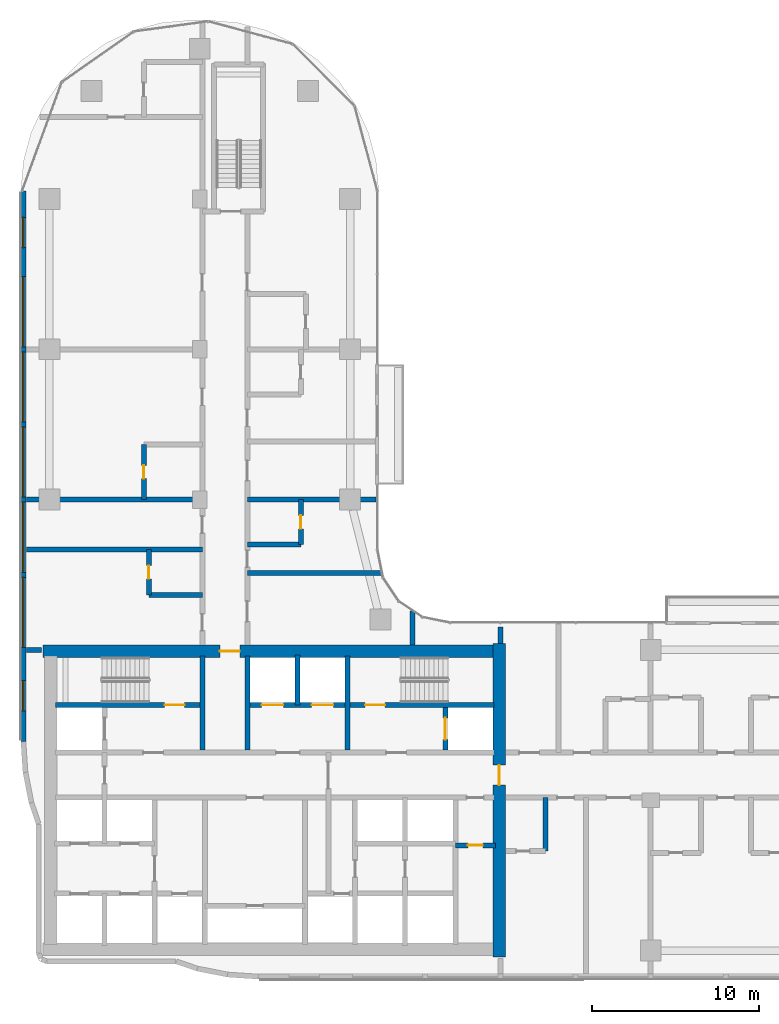
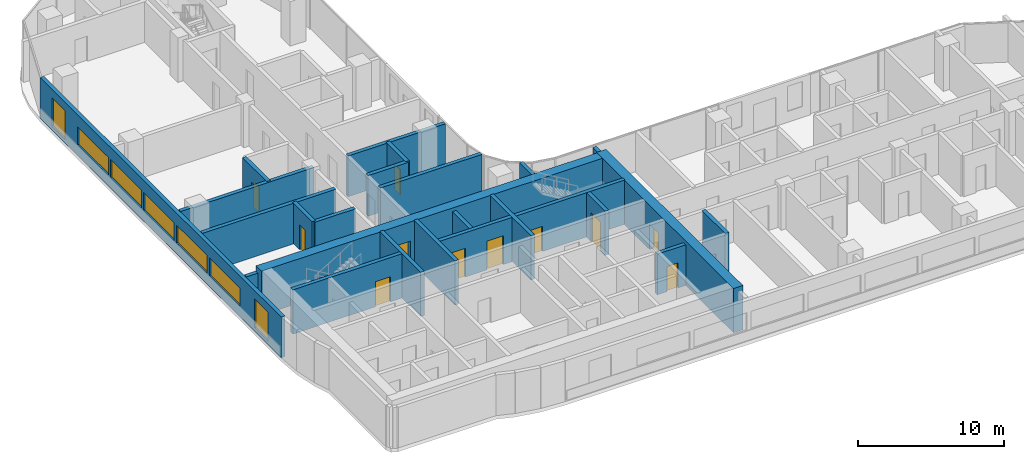
# One storey, part 10 of 23: 24 walls, 11 doors, 7 windows, 18 openings.
"""IFC4 building model written with IfcOpenShell, lengths in metres."""

from ifc_helpers import new_model, si_unit, direction, frame, frame_2d, origin, place, context, subcontext, project, spatial, rectangle, extrude, material, layer, layer_set, type_object, element, fill, save


model = new_model("IFC4")

# Units and contexts
model_context = context("Model", 3, precision=1e-05, world=origin(), true_north=direction((0.0, 1.0)))
body_context = subcontext(model_context, "Body", "Model", "MODEL_VIEW")
ifc_project = project(units=[si_unit("LENGTHUNIT", "METRE"), si_unit("AREAUNIT", "SQUARE_METRE"), si_unit("VOLUMEUNIT", "CUBIC_METRE"), si_unit("PLANEANGLEUNIT", "RADIAN"), si_unit("MASSUNIT", "GRAM", prefix="KILO")], contexts=[model_context])

# Site, building, storey
site_placement = place(None, origin())
site = spatial("IfcSite", under=ifc_project, at=site_placement, CompositionType="ELEMENT")
building_placement = place(site_placement, origin())
building = spatial("IfcBuilding", under=site, at=building_placement, Name="Ogive Portal Towers", CompositionType="ELEMENT")
storey_placement = place(building_placement, frame((0.0, 0.0, 127.800048828125)))
storey = spatial("IfcBuildingStorey", under=building, at=storey_placement, Name="L31", CompositionType="ELEMENT", Elevation=127.800048828125)

# Wall, opening, door
ifc_material_1 = material(Name="Concrete C60/75", Category="concrete")
ifc_layer_1 = layer(ifc_material_1, 0.300048828125)
ifc_layer_set_1 = layer_set([ifc_layer_1], Name="CORE WALL 300 C60")
wall_type_1 = type_object("IfcWallType", Name="CORE WALL 300 C60", PredefinedType="SHEAR", material=ifc_layer_set_1)
wall_1_placement = place(storey_placement, frame((31.875, 36.199951171875, 0.0), z_axis=(0.0, 0.0, 1.0), x_axis=(1.0, 0.0, 0.0)))
wall_1 = element("IfcWall", 1, at=wall_1_placement, inside=storey, type_object=wall_type_1, Name="Core wall Y3a L31", PredefinedType="SHEAR", context=body_context, shape_type="SweptSolid", body=[
    extrude(rectangle(XDim=8.625, YDim=0.300048828125, at=frame_2d((4.3125, 0.0))), origin(), (0.0, 0.0, 1.0), 3.699951171875),
])
opening_1_placement = place(wall_1_placement, frame((6.52490234375, 0.0, 0.0)))
opening_1 = element("IfcOpeningElement", 2, at=opening_1_placement, cuts=wall_1, Name="Opening D11-006", PredefinedType="OPENING", context=body_context, shape_type="SweptSolid", body=[
    extrude(rectangle(XDim=1.199951171875, YDim=2.10009765625, at=frame_2d((0.60009765625, 1.050048828125))), frame((0.0, 0.16015625, 0.0), z_axis=(0.0, -1.0, 0.0), x_axis=(1.0, 0.0, 0.0)), (0.0, 0.0, 1.0), 0.320068359375),
])
ifc_material_2 = material(Name="Steel fire door", Category="steel")
door_type_1 = type_object("IfcDoorType", Name="DT-SWING-1200x2100-FD90S", OperationType="SINGLE_SWING_LEFT", PredefinedType="DOOR", material=ifc_material_2)
door_1_placement = place(opening_1_placement, origin())
door_1 = element("IfcDoor", 3, at=door_1_placement, inside=storey, type_object=door_type_1, Name="Door D11-006", OperationType="SINGLE_SWING_RIGHT", OverallHeight=2.10009765625, OverallWidth=1.199951171875, PredefinedType="DOOR", context=body_context, shape_type="SweptSolid", body=[
    extrude(rectangle(XDim=1.199951171875, YDim=2.10009765625, at=frame_2d((0.60009765625, 1.050048828125))), frame((0.0, 0.02490234375, 0.0), z_axis=(0.0, -1.0, 0.0), x_axis=(1.0, 0.0, 0.0)), (0.0, 0.0, 1.0), 0.050048828125),
])
fill(opening_1, door_1)

# Wall, openings, doors
wall_2_placement = place(storey_placement, frame((43.5, 36.199951171875, 0.0), z_axis=(0.0, 0.0, 1.0), x_axis=(1.0, 0.0, 0.0)))
wall_2 = element("IfcWall", 4, at=wall_2_placement, inside=storey, type_object=wall_type_1, Name="Core wall Y3b L31", PredefinedType="SHEAR", context=body_context, shape_type="SweptSolid", body=[
    extrude(rectangle(XDim=14.625, YDim=0.300048828125, at=frame_2d((7.3125, 0.0))), origin(), (0.0, 0.0, 1.0), 3.699951171875),
])
opening_2_placement = place(wall_2_placement, frame((6.89990234375, 0.0, 0.0)))
opening_2 = element("IfcOpeningElement", 5, at=opening_2_placement, cuts=wall_2, Name="Opening D11-007", PredefinedType="OPENING", context=body_context, shape_type="SweptSolid", body=[
    extrude(rectangle(XDim=1.199951171875, YDim=2.10009765625, at=frame_2d((0.60009765625, 1.050048828125))), frame((0.0, 0.16015625, 0.0), z_axis=(0.0, -1.0, 0.0), x_axis=(1.0, 0.0, 0.0)), (0.0, 0.0, 1.0), 0.320068359375),
])
opening_3_placement = place(wall_2_placement, frame((0.699951171875, 0.0, 0.0)))
opening_3 = element("IfcOpeningElement", 6, at=opening_3_placement, cuts=wall_2, Name="Opening D11-018", PredefinedType="OPENING", context=body_context, shape_type="SweptSolid", body=[
    extrude(rectangle(XDim=1.300048828125, YDim=2.39990234375, at=frame_2d((0.64990234375, 1.199951171875))), frame((0.0, 0.16015625, 0.0), z_axis=(0.0, -1.0, 0.0), x_axis=(1.0, 0.0, 0.0)), (0.0, 0.0, 1.0), 0.320068359375),
])
opening_4_placement = place(wall_2_placement, frame((3.699951171875, 0.0, 0.0)))
opening_4 = element("IfcOpeningElement", 7, at=opening_4_placement, cuts=wall_2, Name="Opening D11-019", PredefinedType="OPENING", context=body_context, shape_type="SweptSolid", body=[
    extrude(rectangle(XDim=1.300048828125, YDim=2.39990234375, at=frame_2d((0.64990234375, 1.199951171875))), frame((0.0, 0.16015625, 0.0), z_axis=(0.0, -1.0, 0.0), x_axis=(1.0, 0.0, 0.0)), (0.0, 0.0, 1.0), 0.320068359375),
])
ifc_material_3 = material(Name="Stainless steel", Category="steel")
door_type_2 = type_object("IfcDoorType", Name="DT-LD-1300x2400", OperationType="SLIDING_TO_LEFT", PredefinedType="DOOR", material=ifc_material_3)
door_2_placement = place(opening_3_placement, origin())
door_2 = element("IfcDoor", 8, at=door_2_placement, inside=storey, type_object=door_type_2, Name="Door D11-018", OperationType="SLIDING_TO_LEFT", OverallHeight=2.39990234375, OverallWidth=1.300048828125, PredefinedType="DOOR", context=body_context, shape_type="SweptSolid", body=[
    extrude(rectangle(XDim=1.300048828125, YDim=2.39990234375, at=frame_2d((0.64990234375, 1.199951171875))), frame((0.0, 0.02490234375, 0.0), z_axis=(0.0, -1.0, 0.0), x_axis=(1.0, 0.0, 0.0)), (0.0, 0.0, 1.0), 0.050048828125),
])
fill(opening_3, door_2)
door_3_placement = place(opening_4_placement, origin())
door_3 = element("IfcDoor", 9, at=door_3_placement, inside=storey, type_object=door_type_2, Name="Door D11-019", OperationType="SLIDING_TO_LEFT", OverallHeight=2.39990234375, OverallWidth=1.300048828125, PredefinedType="DOOR", context=body_context, shape_type="SweptSolid", body=[
    extrude(rectangle(XDim=1.300048828125, YDim=2.39990234375, at=frame_2d((0.64990234375, 1.199951171875))), frame((0.0, 0.02490234375, 0.0), z_axis=(0.0, -1.0, 0.0), x_axis=(1.0, 0.0, 0.0)), (0.0, 0.0, 1.0), 0.050048828125),
])
fill(opening_4, door_3)
door_4_placement = place(opening_2_placement, origin())
door_4 = element("IfcDoor", 10, at=door_4_placement, inside=storey, type_object=door_type_1, Name="Door D11-007", OperationType="SINGLE_SWING_LEFT", OverallHeight=2.10009765625, OverallWidth=1.199951171875, PredefinedType="DOOR", context=body_context, shape_type="SweptSolid", body=[
    extrude(rectangle(XDim=1.199951171875, YDim=2.10009765625, at=frame_2d((0.60009765625, 1.050048828125))), frame((0.0, 0.02490234375, 0.0), z_axis=(0.0, -1.0, 0.0), x_axis=(1.0, 0.0, 0.0)), (0.0, 0.0, 1.0), 0.050048828125),
])
fill(opening_2, door_4)

# Walls
for number, where, z_axis, x_axis, name in (
    (11, (40.64990234375, 33.5, 0.0), (0.0, 0.0, 1.0), (0.0, 1.0, 0.0), "Core wall X6 L31"),
    (12, (43.35009765625, 33.5, 0.0), (0.0, 0.0, 1.0), (0.0, 1.0, 0.0), "Core wall X7 L31"),
    (13, (49.35009765625, 33.5, 0.0), (0.0, 0.0, 1.0), (0.0, 1.0, 0.0), "Core wall X9 L31"),
):
    element("IfcWall", number, at=place(storey_placement, frame(where, z_axis=z_axis, x_axis=x_axis)), inside=storey, type_object=wall_type_1, Name=name, PredefinedType="SHEAR", context=body_context, shape_type="SweptSolid", body=[
        extrude(rectangle(XDim=5.625, YDim=0.300048828125, at=frame_2d((2.8125, 0.0))), origin(), (0.0, 0.0, 1.0), 3.699951171875),
    ])

# Wall, opening, door
wall_3_placement = place(storey_placement, frame((55.199951171875, 33.5, 0.0), z_axis=(0.0, 0.0, 1.0), x_axis=(0.0, 1.0, 0.0)))
wall_3 = element("IfcWall", 14, at=wall_3_placement, inside=storey, type_object=wall_type_1, Name="Core wall X10 L31", PredefinedType="SHEAR", context=body_context, shape_type="SweptSolid", body=[
    extrude(rectangle(XDim=2.550048828125, YDim=0.300048828125, at=frame_2d((1.27490234375, 0.0))), origin(), (0.0, 0.0, 1.0), 3.699951171875),
])
opening_5_placement = place(wall_3_placement, frame((0.625, 0.0, 0.0)))
opening_5 = element("IfcOpeningElement", 15, at=opening_5_placement, cuts=wall_3, Name="Opening D11-021", PredefinedType="OPENING", context=body_context, shape_type="SweptSolid", body=[
    extrude(rectangle(XDim=1.300048828125, YDim=2.39990234375, at=frame_2d((0.64990234375, 1.199951171875))), frame((0.0, 0.16015625, 0.0), z_axis=(0.0, -1.0, 0.0), x_axis=(1.0, 0.0, 0.0)), (0.0, 0.0, 1.0), 0.320068359375),
])
door_5_placement = place(opening_5_placement, origin())
door_5 = element("IfcDoor", 16, at=door_5_placement, inside=storey, type_object=door_type_2, Name="Door D11-021", OperationType="SLIDING_TO_LEFT", OverallHeight=2.39990234375, OverallWidth=1.300048828125, PredefinedType="DOOR", context=body_context, shape_type="SweptSolid", body=[
    extrude(rectangle(XDim=1.300048828125, YDim=2.39990234375, at=frame_2d((0.64990234375, 1.199951171875))), frame((0.0, 0.02490234375, 0.0), z_axis=(0.0, -1.0, 0.0), x_axis=(1.0, 0.0, 0.0)), (0.0, 0.0, 1.0), 0.050048828125),
])
fill(opening_5, door_5)

ifc_layer_2 = layer(ifc_material_1, 0.75)
ifc_layer_set_2 = layer_set([ifc_layer_2], Name="CORE WALL 750 C60")
wall_type_2 = type_object("IfcWallType", Name="CORE WALL 750 C60", PredefinedType="SHEAR", material=ifc_layer_set_2)
wall_4_placement = place(storey_placement, frame((58.425048828125, 21.125, 0.0), z_axis=(0.0, 0.0, 1.0), x_axis=(0.0, 1.0, 0.0)))
wall_4 = element("IfcWall", 17, at=wall_4_placement, inside=storey, type_object=wall_type_2, Name="Core wall E L31", PredefinedType="SHEAR", context=body_context, shape_type="SweptSolid", body=[
    extrude(rectangle(XDim=18.75, YDim=0.75, at=frame_2d((9.375, 0.0))), origin(), (0.0, 0.0, 1.0), 3.699951171875),
])
opening_6_placement = place(wall_4_placement, frame((10.27490234375, 0.0, 0.0)))
opening_6 = element("IfcOpeningElement", 18, at=opening_6_placement, cuts=wall_4, Name="Opening D11-012", PredefinedType="OPENING", context=body_context, shape_type="SweptSolid", body=[
    extrude(rectangle(XDim=1.199951171875, YDim=2.10009765625, at=frame_2d((0.60009765625, 1.050048828125))), frame((0.0, 0.385009765625, 0.0), z_axis=(0.0, -1.0, 0.0), x_axis=(1.0, 0.0, 0.0)), (0.0, 0.0, 1.0), 0.77001953125),
])
door_6_placement = place(opening_6_placement, origin())
door_6 = element("IfcDoor", 19, at=door_6_placement, inside=storey, type_object=door_type_1, Name="Door D11-012", OperationType="SINGLE_SWING_LEFT", OverallHeight=2.10009765625, OverallWidth=1.199951171875, PredefinedType="DOOR", context=body_context, shape_type="SweptSolid", body=[
    extrude(rectangle(XDim=1.199951171875, YDim=2.10009765625, at=frame_2d((0.60009765625, 1.050048828125))), frame((0.0, 0.02490234375, 0.0), z_axis=(0.0, -1.0, 0.0), x_axis=(1.0, 0.0, 0.0)), (0.0, 0.0, 1.0), 0.050048828125),
])
fill(opening_6, door_6)

wall_5_placement = place(storey_placement, frame((31.125, 39.425048828125, 0.0), z_axis=(0.0, 0.0, 1.0), x_axis=(1.0, 0.0, 0.0)))
wall_5 = element("IfcWall", 20, at=wall_5_placement, inside=storey, type_object=wall_type_2, Name="Core wall N L31", PredefinedType="SHEAR", context=body_context, shape_type="SweptSolid", body=[
    extrude(rectangle(XDim=27.0, YDim=0.75, at=frame_2d((13.5, 0.0))), origin(), (0.0, 0.0, 1.0), 3.699951171875),
])
opening_7_placement = place(wall_5_placement, frame((10.574951171875, 0.0, 0.0)))
opening_7 = element("IfcOpeningElement", 21, at=opening_7_placement, cuts=wall_5, Name="Opening D11-013", PredefinedType="OPENING", context=body_context, shape_type="SweptSolid", body=[
    extrude(rectangle(XDim=1.199951171875, YDim=2.10009765625, at=frame_2d((0.60009765625, 1.050048828125))), frame((0.0, 0.385009765625, 0.0), z_axis=(0.0, -1.0, 0.0), x_axis=(1.0, 0.0, 0.0)), (0.0, 0.0, 1.0), 0.77001953125),
])
door_7_placement = place(opening_7_placement, origin())
door_7 = element("IfcDoor", 22, at=door_7_placement, inside=storey, type_object=door_type_1, Name="Door D11-013", OperationType="SINGLE_SWING_RIGHT", OverallHeight=2.10009765625, OverallWidth=1.199951171875, PredefinedType="DOOR", context=body_context, shape_type="SweptSolid", body=[
    extrude(rectangle(XDim=1.199951171875, YDim=2.10009765625, at=frame_2d((0.60009765625, 1.050048828125))), frame((0.0, 0.02490234375, 0.0), z_axis=(0.0, -1.0, 0.0), x_axis=(1.0, 0.0, 0.0)), (0.0, 0.0, 1.0), 0.050048828125),
])
fill(opening_7, door_7)

# Wall, openings, windows
ifc_material_4 = material(Name="Limestone cladding on lightweight block wall", Category="masonry")
ifc_layer_3 = layer(ifc_material_4, 0.300048828125)
ifc_layer_set_3 = layer_set([ifc_layer_3], Name="EXTERNAL WALL 300 STONE")
wall_type_3 = type_object("IfcWallType", Name="EXTERNAL WALL 300 STONE", PredefinedType="SOLIDWALL", material=ifc_layer_set_3)
wall_6_placement = place(storey_placement, frame((29.93505859375, 66.98583984375, 0.0), z_axis=(0.0, 0.0, 1.0), x_axis=(0.0, -1.0, 0.0)))
wall_6 = element("IfcWall", 23, at=wall_6_placement, inside=storey, type_object=wall_type_3, Name="A:L31:f25:r0:wall", PredefinedType="SOLIDWALL", context=body_context, shape_type="SweptSolid", body=[
    extrude(rectangle(XDim=32.97607421875, YDim=0.300048828125, at=frame_2d((16.488037109375, 0.0))), origin(), (0.0, 0.0, 1.0), 3.39990234375),
])
opening_8_placement = place(wall_6_placement, frame((1.593017578125, 0.0, 0.300048828125)))
opening_8 = element("IfcOpeningElement", 24, at=opening_8_placement, cuts=wall_6, Name="Opening WN10", PredefinedType="OPENING", context=body_context, shape_type="SweptSolid", body=[
    extrude(rectangle(XDim=1.800048828125, YDim=2.39990234375, at=frame_2d((0.89990234375, 1.199951171875))), frame((0.0, 0.16015625, 0.0), z_axis=(0.0, -1.0, 0.0), x_axis=(1.0, 0.0, 0.0)), (0.0, 0.0, 1.0), 0.320068359375),
])
opening_9_placement = place(wall_6_placement, frame((5.135986328125, 0.0, 0.89990234375)))
opening_9 = element("IfcOpeningElement", 25, at=opening_9_placement, cuts=wall_6, Name="Opening WN11", PredefinedType="OPENING", context=body_context, shape_type="SweptSolid", body=[
    extrude(rectangle(XDim=4.199951171875, YDim=1.5, at=frame_2d((2.10009765625, 0.75))), frame((0.0, 0.16015625, 0.0), z_axis=(0.0, -1.0, 0.0), x_axis=(1.0, 0.0, 0.0)), (0.0, 0.0, 1.0), 0.320068359375),
])
opening_10_placement = place(wall_6_placement, frame((9.635986328125, 0.0, 0.89990234375)))
opening_10 = element("IfcOpeningElement", 26, at=opening_10_placement, cuts=wall_6, Name="Opening WN11", PredefinedType="OPENING", context=body_context, shape_type="SweptSolid", body=[
    extrude(rectangle(XDim=4.199951171875, YDim=1.5, at=frame_2d((2.10009765625, 0.75))), frame((0.0, 0.16015625, 0.0), z_axis=(0.0, -1.0, 0.0), x_axis=(1.0, 0.0, 0.0)), (0.0, 0.0, 1.0), 0.320068359375),
])
opening_11_placement = place(wall_6_placement, frame((14.135986328125, 0.0, 0.89990234375)))
opening_11 = element("IfcOpeningElement", 27, at=opening_11_placement, cuts=wall_6, Name="Opening WN11", PredefinedType="OPENING", context=body_context, shape_type="SweptSolid", body=[
    extrude(rectangle(XDim=4.199951171875, YDim=1.5, at=frame_2d((2.10009765625, 0.75))), frame((0.0, 0.16015625, 0.0), z_axis=(0.0, -1.0, 0.0), x_axis=(1.0, 0.0, 0.0)), (0.0, 0.0, 1.0), 0.320068359375),
])
opening_12_placement = place(wall_6_placement, frame((18.635986328125, 0.0, 0.89990234375)))
opening_12 = element("IfcOpeningElement", 28, at=opening_12_placement, cuts=wall_6, Name="Opening WN11", PredefinedType="OPENING", context=body_context, shape_type="SweptSolid", body=[
    extrude(rectangle(XDim=4.199951171875, YDim=1.5, at=frame_2d((2.10009765625, 0.75))), frame((0.0, 0.16015625, 0.0), z_axis=(0.0, -1.0, 0.0), x_axis=(1.0, 0.0, 0.0)), (0.0, 0.0, 1.0), 0.320068359375),
])
opening_13_placement = place(wall_6_placement, frame((23.135986328125, 0.0, 0.89990234375)))
opening_13 = element("IfcOpeningElement", 29, at=opening_13_placement, cuts=wall_6, Name="Opening WN11", PredefinedType="OPENING", context=body_context, shape_type="SweptSolid", body=[
    extrude(rectangle(XDim=4.199951171875, YDim=1.5, at=frame_2d((2.10009765625, 0.75))), frame((0.0, 0.16015625, 0.0), z_axis=(0.0, -1.0, 0.0), x_axis=(1.0, 0.0, 0.0)), (0.0, 0.0, 1.0), 0.320068359375),
])
opening_14_placement = place(wall_6_placement, frame((29.3310546875, 0.0, 0.300048828125)))
opening_14 = element("IfcOpeningElement", 30, at=opening_14_placement, cuts=wall_6, Name="Opening WN10", PredefinedType="OPENING", context=body_context, shape_type="SweptSolid", body=[
    extrude(rectangle(XDim=1.800048828125, YDim=2.39990234375, at=frame_2d((0.89990234375, 1.199951171875))), frame((0.0, 0.16015625, 0.0), z_axis=(0.0, -1.0, 0.0), x_axis=(1.0, 0.0, 0.0)), (0.0, 0.0, 1.0), 0.320068359375),
])
ifc_material_5 = material(Name="Glass, clear low-iron insulated glazing", Category="glass")
window_type_1 = type_object("IfcWindowType", Name="WINDOW RIBBON 4200x1500", PartitioningType="TRIPLE_PANEL_VERTICAL", PredefinedType="WINDOW", material=ifc_material_5)
window_1_placement = place(opening_9_placement, origin())
window_1 = element("IfcWindow", 31, at=window_1_placement, inside=storey, type_object=window_type_1, Name="A:L31:f25:r0:w1", OverallHeight=1.5, OverallWidth=4.199951171875, PartitioningType="SINGLE_PANEL", PredefinedType="WINDOW", context=body_context, shape_type="SweptSolid", body=[
    extrude(rectangle(XDim=4.199951171875, YDim=1.5, at=frame_2d((2.10009765625, 0.75))), frame((0.0, 0.030029296875, 0.0), z_axis=(0.0, -1.0, 0.0), x_axis=(1.0, 0.0, 0.0)), (0.0, 0.0, 1.0), 0.06005859375),
])
fill(opening_9, window_1)
window_2_placement = place(opening_10_placement, origin())
window_2 = element("IfcWindow", 32, at=window_2_placement, inside=storey, type_object=window_type_1, Name="A:L31:f25:r0:w2", OverallHeight=1.5, OverallWidth=4.199951171875, PartitioningType="SINGLE_PANEL", PredefinedType="WINDOW", context=body_context, shape_type="SweptSolid", body=[
    extrude(rectangle(XDim=4.199951171875, YDim=1.5, at=frame_2d((2.10009765625, 0.75))), frame((0.0, 0.030029296875, 0.0), z_axis=(0.0, -1.0, 0.0), x_axis=(1.0, 0.0, 0.0)), (0.0, 0.0, 1.0), 0.06005859375),
])
fill(opening_10, window_2)
window_3_placement = place(opening_11_placement, origin())
window_3 = element("IfcWindow", 33, at=window_3_placement, inside=storey, type_object=window_type_1, Name="A:L31:f25:r0:w3", OverallHeight=1.5, OverallWidth=4.199951171875, PartitioningType="SINGLE_PANEL", PredefinedType="WINDOW", context=body_context, shape_type="SweptSolid", body=[
    extrude(rectangle(XDim=4.199951171875, YDim=1.5, at=frame_2d((2.10009765625, 0.75))), frame((0.0, 0.030029296875, 0.0), z_axis=(0.0, -1.0, 0.0), x_axis=(1.0, 0.0, 0.0)), (0.0, 0.0, 1.0), 0.06005859375),
])
fill(opening_11, window_3)
window_4_placement = place(opening_12_placement, origin())
window_4 = element("IfcWindow", 34, at=window_4_placement, inside=storey, type_object=window_type_1, Name="A:L31:f25:r0:w4", OverallHeight=1.5, OverallWidth=4.199951171875, PartitioningType="SINGLE_PANEL", PredefinedType="WINDOW", context=body_context, shape_type="SweptSolid", body=[
    extrude(rectangle(XDim=4.199951171875, YDim=1.5, at=frame_2d((2.10009765625, 0.75))), frame((0.0, 0.030029296875, 0.0), z_axis=(0.0, -1.0, 0.0), x_axis=(1.0, 0.0, 0.0)), (0.0, 0.0, 1.0), 0.06005859375),
])
fill(opening_12, window_4)
window_5_placement = place(opening_13_placement, origin())
window_5 = element("IfcWindow", 35, at=window_5_placement, inside=storey, type_object=window_type_1, Name="A:L31:f25:r0:w5", OverallHeight=1.5, OverallWidth=4.199951171875, PartitioningType="SINGLE_PANEL", PredefinedType="WINDOW", context=body_context, shape_type="SweptSolid", body=[
    extrude(rectangle(XDim=4.199951171875, YDim=1.5, at=frame_2d((2.10009765625, 0.75))), frame((0.0, 0.030029296875, 0.0), z_axis=(0.0, -1.0, 0.0), x_axis=(1.0, 0.0, 0.0)), (0.0, 0.0, 1.0), 0.06005859375),
])
fill(opening_13, window_5)
window_type_2 = type_object("IfcWindowType", Name="WINDOW SUITE CORNER 1800x2400", PartitioningType="DOUBLE_PANEL_VERTICAL", PredefinedType="WINDOW", material=ifc_material_5)
window_6_placement = place(opening_8_placement, origin())
window_6 = element("IfcWindow", 36, at=window_6_placement, inside=storey, type_object=window_type_2, Name="A:L31:f25:r0:w0", OverallHeight=2.39990234375, OverallWidth=1.800048828125, PartitioningType="SINGLE_PANEL", PredefinedType="WINDOW", context=body_context, shape_type="SweptSolid", body=[
    extrude(rectangle(XDim=1.800048828125, YDim=2.39990234375, at=frame_2d((0.89990234375, 1.199951171875))), frame((0.0, 0.030029296875, 0.0), z_axis=(0.0, -1.0, 0.0), x_axis=(1.0, 0.0, 0.0)), (0.0, 0.0, 1.0), 0.06005859375),
])
fill(opening_8, window_6)
window_7_placement = place(opening_14_placement, origin())
window_7 = element("IfcWindow", 37, at=window_7_placement, inside=storey, type_object=window_type_2, Name="A:L31:f25:r0:w6", OverallHeight=2.39990234375, OverallWidth=1.800048828125, PartitioningType="SINGLE_PANEL", PredefinedType="WINDOW", context=body_context, shape_type="SweptSolid", body=[
    extrude(rectangle(XDim=1.800048828125, YDim=2.39990234375, at=frame_2d((0.89990234375, 1.199951171875))), frame((0.0, 0.030029296875, 0.0), z_axis=(0.0, -1.0, 0.0), x_axis=(1.0, 0.0, 0.0)), (0.0, 0.0, 1.0), 0.06005859375),
])
fill(opening_14, window_7)

# Wall, opening, door
ifc_material_6 = material(Name="Gypsum board partition on steel studs", Category="steel")
ifc_layer_4 = layer(ifc_material_6, 0.300048828125)
ifc_layer_set_4 = layer_set([ifc_layer_4], Name="WT-PART-300")
wall_type_4 = type_object("IfcWallType", Name="WT-PART-300", PredefinedType="PARTITIONING", material=ifc_layer_set_4)
wall_7_placement = place(storey_placement, frame((55.800048828125, 27.800048828125, 0.0), z_axis=(0.0, 0.0, 1.0), x_axis=(1.0, 0.0, 0.0)))
wall_7 = element("IfcWall", 38, at=wall_7_placement, inside=storey, type_object=wall_type_4, Name="Wall pw:004:L31", PredefinedType="PARTITIONING", context=body_context, shape_type="SweptSolid", body=[
    extrude(rectangle(XDim=2.39990234375, YDim=0.300048828125, at=frame_2d((1.199951171875, 0.0))), origin(), (0.0, 0.0, 1.0), 3.39990234375),
])
opening_15_placement = place(wall_7_placement, frame((0.75, 0.0, 0.0)))
opening_15 = element("IfcOpeningElement", 39, at=opening_15_placement, cuts=wall_7, Name="Opening D11-011", PredefinedType="OPENING", context=body_context, shape_type="SweptSolid", body=[
    extrude(rectangle(XDim=0.89990234375, YDim=2.10009765625, at=frame_2d((0.449951171875, 1.050048828125))), frame((0.0, 0.16015625, 0.0), z_axis=(0.0, -1.0, 0.0), x_axis=(1.0, 0.0, 0.0)), (0.0, 0.0, 1.0), 0.320068359375),
])
door_type_3 = type_object("IfcDoorType", Name="DT-SWING-900x2100-FD60S", OperationType="SINGLE_SWING_LEFT", PredefinedType="DOOR", material=ifc_material_2)
door_8_placement = place(opening_15_placement, origin())
door_8 = element("IfcDoor", 40, at=door_8_placement, inside=storey, type_object=door_type_3, Name="Door D11-011", OperationType="SINGLE_SWING_RIGHT", OverallHeight=2.10009765625, OverallWidth=0.89990234375, PredefinedType="DOOR", context=body_context, shape_type="SweptSolid", body=[
    extrude(rectangle(XDim=0.89990234375, YDim=2.10009765625, at=frame_2d((0.449951171875, 1.050048828125))), frame((0.0, 0.02490234375, 0.0), z_axis=(0.0, -1.0, 0.0), x_axis=(1.0, 0.0, 0.0)), (0.0, 0.0, 1.0), 0.050048828125),
])
fill(opening_15, door_8)

# Walls
ifc_layer_5 = layer(ifc_material_6, 0.300048828125)
ifc_layer_set_5 = layer_set([ifc_layer_5], Name="WT-PART-300-EI 60")
wall_type_5 = type_object("IfcWallType", Name="WT-PART-300-EI 60", PredefinedType="PARTITIONING", material=ifc_layer_set_5)
wall_8_placement = place(storey_placement, frame((30.135009765625, 39.5, 0.0), z_axis=(0.0, 0.0, 1.0), x_axis=(1.0, 0.0, 0.0)))
element("IfcWall", 41, at=wall_8_placement, inside=storey, type_object=wall_type_5, Name="Wall L31:w014", PredefinedType="PARTITIONING", context=body_context, shape_type="SweptSolid", body=[
    extrude(rectangle(XDim=0.89501953125, YDim=0.300048828125, at=frame_2d((0.447509765625, 0.0))), origin(), (0.0, 0.0, 1.0), 3.39990234375),
])
wall_9_placement = place(storey_placement, frame((37.449951171875, 42.800048828125, 0.0), z_axis=(0.0, 0.0, 1.0), x_axis=(1.0, 0.0, 0.0)))
element("IfcWall", 42, at=wall_9_placement, inside=storey, type_object=wall_type_5, Name="Wall L31:w016", PredefinedType="PARTITIONING", context=body_context, shape_type="SweptSolid", body=[
    extrude(rectangle(XDim=3.199951171875, YDim=0.300048828125, at=frame_2d((1.60009765625, 0.0))), origin(), (0.0, 0.0, 1.0), 3.39990234375),
])
wall_10_placement = place(storey_placement, frame((43.35009765625, 44.10009765625, 0.0), z_axis=(0.0, 0.0, 1.0), x_axis=(1.0, 0.0, 0.0)))
element("IfcWall", 43, at=wall_10_placement, inside=storey, type_object=wall_type_5, Name="Wall L31:w017", PredefinedType="PARTITIONING", context=body_context, shape_type="SweptSolid", body=[
    extrude(rectangle(XDim=8.031982421875, YDim=0.300048828125, at=frame_2d((4.01611328125, 0.0))), origin(), (0.0, 0.0, 1.0), 3.39990234375),
])
wall_11_placement = place(storey_placement, frame((30.135009765625, 45.5, 0.0), z_axis=(0.0, 0.0, 1.0), x_axis=(1.0, 0.0, 0.0)))
element("IfcWall", 44, at=wall_11_placement, inside=storey, type_object=wall_type_5, Name="Wall L31:w018", PredefinedType="PARTITIONING", context=body_context, shape_type="SweptSolid", body=[
    extrude(rectangle(XDim=10.514892578125, YDim=0.300048828125, at=frame_2d((5.25732421875, 0.0))), origin(), (0.0, 0.0, 1.0), 3.39990234375),
])
wall_12_placement = place(storey_placement, frame((43.35009765625, 45.800048828125, 0.0), z_axis=(0.0, 0.0, 1.0), x_axis=(1.0, 0.0, 0.0)))
element("IfcWall", 45, at=wall_12_placement, inside=storey, type_object=wall_type_5, Name="Wall L31:w019", PredefinedType="PARTITIONING", context=body_context, shape_type="SweptSolid", body=[
    extrude(rectangle(XDim=3.199951171875, YDim=0.300048828125, at=frame_2d((1.60009765625, 0.0))), origin(), (0.0, 0.0, 1.0), 3.39990234375),
])
wall_13_placement = place(storey_placement, frame((30.135009765625, 48.5, 0.0), z_axis=(0.0, 0.0, 1.0), x_axis=(1.0, 0.0, 0.0)))
element("IfcWall", 46, at=wall_13_placement, inside=storey, type_object=wall_type_5, Name="Wall L31:w020", PredefinedType="PARTITIONING", context=body_context, shape_type="SweptSolid", body=[
    extrude(rectangle(XDim=10.514892578125, YDim=0.300048828125, at=frame_2d((5.25732421875, 0.0))), origin(), (0.0, 0.0, 1.0), 3.39990234375),
])
wall_14_placement = place(storey_placement, frame((43.35009765625, 48.5, 0.0), z_axis=(0.0, 0.0, 1.0), x_axis=(1.0, 0.0, 0.0)))
element("IfcWall", 47, at=wall_14_placement, inside=storey, type_object=wall_type_5, Name="Wall L31:w021", PredefinedType="PARTITIONING", context=body_context, shape_type="SweptSolid", body=[
    extrude(rectangle(XDim=7.69482421875, YDim=0.300048828125, at=frame_2d((3.847412109375, 0.0))), origin(), (0.0, 0.0, 1.0), 3.39990234375),
])

# Wall, opening, door
wall_15_placement = place(storey_placement, frame((37.14990234375, 48.5, 0.0), z_axis=(0.0, 0.0, 1.0), x_axis=(0.0, 1.0, 0.0)))
wall_15 = element("IfcWall", 48, at=wall_15_placement, inside=storey, type_object=wall_type_5, Name="Wall L31:w032", PredefinedType="PARTITIONING", context=body_context, shape_type="SweptSolid", body=[
    extrude(rectangle(XDim=3.300048828125, YDim=0.300048828125, at=frame_2d((1.64990234375, 0.0))), origin(), (0.0, 0.0, 1.0), 3.39990234375),
])
opening_16_placement = place(wall_15_placement, frame((1.25, 0.0, 0.0)))
opening_16 = element("IfcOpeningElement", 49, at=opening_16_placement, cuts=wall_15, Name="Opening D11-054", PredefinedType="OPENING", context=body_context, shape_type="SweptSolid", body=[
    extrude(rectangle(XDim=0.800048828125, YDim=2.10009765625, at=frame_2d((0.39990234375, 1.050048828125))), frame((0.0, 0.16015625, 0.0), z_axis=(0.0, -1.0, 0.0), x_axis=(1.0, 0.0, 0.0)), (0.0, 0.0, 1.0), 0.320068359375),
])
door_type_4 = type_object("IfcDoorType", Name="DT-BATH-800x2100-FD60S", OperationType="SINGLE_SWING_LEFT", PredefinedType="DOOR", material=ifc_material_2)
door_9_placement = place(opening_16_placement, origin())
door_9 = element("IfcDoor", 50, at=door_9_placement, inside=storey, type_object=door_type_4, Name="Door D11-054", OperationType="SINGLE_SWING_LEFT", OverallHeight=2.10009765625, OverallWidth=0.800048828125, PredefinedType="DOOR", context=body_context, shape_type="SweptSolid", body=[
    extrude(rectangle(XDim=0.800048828125, YDim=2.10009765625, at=frame_2d((0.39990234375, 1.050048828125))), frame((0.0, 0.02490234375, 0.0), z_axis=(0.0, -1.0, 0.0), x_axis=(1.0, 0.0, 0.0)), (0.0, 0.0, 1.0), 0.050048828125),
])
fill(opening_16, door_9)

wall_16_placement = place(storey_placement, frame((37.449951171875, 42.800048828125, 0.0), z_axis=(0.0, 0.0, 1.0), x_axis=(0.0, 1.0, 0.0)))
wall_16 = element("IfcWall", 51, at=wall_16_placement, inside=storey, type_object=wall_type_5, Name="Wall L31:w034", PredefinedType="PARTITIONING", context=body_context, shape_type="SweptSolid", body=[
    extrude(rectangle(XDim=2.699951171875, YDim=0.300048828125, at=frame_2d((1.35009765625, 0.0))), origin(), (0.0, 0.0, 1.0), 3.39990234375),
])
opening_17_placement = place(wall_16_placement, frame((0.949951171875, 0.0, 0.0)))
opening_17 = element("IfcOpeningElement", 52, at=opening_17_placement, cuts=wall_16, Name="Opening D11-048", PredefinedType="OPENING", context=body_context, shape_type="SweptSolid", body=[
    extrude(rectangle(XDim=0.800048828125, YDim=2.10009765625, at=frame_2d((0.39990234375, 1.050048828125))), frame((0.0, 0.16015625, 0.0), z_axis=(0.0, -1.0, 0.0), x_axis=(1.0, 0.0, 0.0)), (0.0, 0.0, 1.0), 0.320068359375),
])
door_10_placement = place(opening_17_placement, origin())
door_10 = element("IfcDoor", 53, at=door_10_placement, inside=storey, type_object=door_type_4, Name="Door D11-048", OperationType="SINGLE_SWING_LEFT", OverallHeight=2.10009765625, OverallWidth=0.800048828125, PredefinedType="DOOR", context=body_context, shape_type="SweptSolid", body=[
    extrude(rectangle(XDim=0.800048828125, YDim=2.10009765625, at=frame_2d((0.39990234375, 1.050048828125))), frame((0.0, 0.02490234375, 0.0), z_axis=(0.0, -1.0, 0.0), x_axis=(1.0, 0.0, 0.0)), (0.0, 0.0, 1.0), 0.050048828125),
])
fill(opening_17, door_10)

wall_17_placement = place(storey_placement, frame((46.550048828125, 45.800048828125, 0.0), z_axis=(0.0, 0.0, 1.0), x_axis=(0.0, 1.0, 0.0)))
wall_17 = element("IfcWall", 54, at=wall_17_placement, inside=storey, type_object=wall_type_5, Name="Wall L31:w040", PredefinedType="PARTITIONING", context=body_context, shape_type="SweptSolid", body=[
    extrude(rectangle(XDim=2.699951171875, YDim=0.300048828125, at=frame_2d((1.35009765625, 0.0))), origin(), (0.0, 0.0, 1.0), 3.39990234375),
])
opening_18_placement = place(wall_17_placement, frame((0.949951171875, 0.0, 0.0)))
opening_18 = element("IfcOpeningElement", 55, at=opening_18_placement, cuts=wall_17, Name="Opening D11-046", PredefinedType="OPENING", context=body_context, shape_type="SweptSolid", body=[
    extrude(rectangle(XDim=0.800048828125, YDim=2.10009765625, at=frame_2d((0.39990234375, 1.050048828125))), frame((0.0, 0.16015625, 0.0), z_axis=(0.0, -1.0, 0.0), x_axis=(1.0, 0.0, 0.0)), (0.0, 0.0, 1.0), 0.320068359375),
])
door_11_placement = place(opening_18_placement, origin())
door_11 = element("IfcDoor", 56, at=door_11_placement, inside=storey, type_object=door_type_4, Name="Door D11-046", OperationType="SINGLE_SWING_RIGHT", OverallHeight=2.10009765625, OverallWidth=0.800048828125, PredefinedType="DOOR", context=body_context, shape_type="SweptSolid", body=[
    extrude(rectangle(XDim=0.800048828125, YDim=2.10009765625, at=frame_2d((0.39990234375, 1.050048828125))), frame((0.0, 0.02490234375, 0.0), z_axis=(0.0, -1.0, 0.0), x_axis=(1.0, 0.0, 0.0)), (0.0, 0.0, 1.0), 0.050048828125),
])
fill(opening_18, door_11)

# Walls
wall_18_placement = place(storey_placement, frame((53.25, 39.800048828125, 0.0), z_axis=(0.0, 0.0, 1.0), x_axis=(0.0, 1.0, 0.0)))
element("IfcWall", 57, at=wall_18_placement, inside=storey, type_object=wall_type_5, Name="Wall L31:w043", PredefinedType="PARTITIONING", context=body_context, shape_type="SweptSolid", body=[
    extrude(rectangle(XDim=2.01904296875, YDim=0.300048828125, at=frame_2d((1.009521484375, 0.0))), origin(), (0.0, 0.0, 1.0), 3.39990234375),
])
wall_19_placement = place(storey_placement, frame((58.5, 39.8798828125, 0.0), z_axis=(0.0, 0.0, 1.0), x_axis=(0.0, 1.0, 0.0)))
element("IfcWall", 58, at=wall_19_placement, inside=storey, type_object=wall_type_5, Name="Wall L31:w045", PredefinedType="PARTITIONING", context=body_context, shape_type="SweptSolid", body=[
    extrude(rectangle(XDim=0.985107421875, YDim=0.300048828125, at=frame_2d((0.49267578125, 0.0))), origin(), (0.0, 0.0, 1.0), 3.39990234375),
])
wall_20_placement = place(storey_placement, frame((61.199951171875, 27.449951171875, 0.0), z_axis=(0.0, 0.0, 1.0), x_axis=(0.0, 1.0, 0.0)))
element("IfcWall", 59, at=wall_20_placement, inside=storey, type_object=wall_type_5, Name="Wall L31:w046", PredefinedType="PARTITIONING", context=body_context, shape_type="SweptSolid", body=[
    extrude(rectangle(XDim=3.199951171875, YDim=0.300048828125, at=frame_2d((1.60009765625, 0.0))), origin(), (0.0, 0.0, 1.0), 3.39990234375),
])
ifc_material_7 = material(Name="Concrete C40/50", Category="concrete")
ifc_layer_6 = layer(ifc_material_7, 0.300048828125)
ifc_layer_set_6 = layer_set([ifc_layer_6], Name="WT-SHAFT-300")
wall_type_6 = type_object("IfcWallType", Name="WT-SHAFT-300", PredefinedType="SOLIDWALL", material=ifc_layer_set_6)
wall_21_placement = place(storey_placement, frame((46.35009765625, 36.199951171875, 0.0), z_axis=(0.0, 0.0, 1.0), x_axis=(0.0, 1.0, 0.0)))
element("IfcWall", 60, at=wall_21_placement, inside=storey, type_object=wall_type_6, Name="Wall pw:010:L31", PredefinedType="SOLIDWALL", context=body_context, shape_type="SweptSolid", body=[
    extrude(rectangle(XDim=3.0, YDim=0.300048828125, at=frame_2d((1.5, 0.0))), origin(), (0.0, 0.0, 1.0), 3.39990234375),
])

save(model, "model.ifc")
